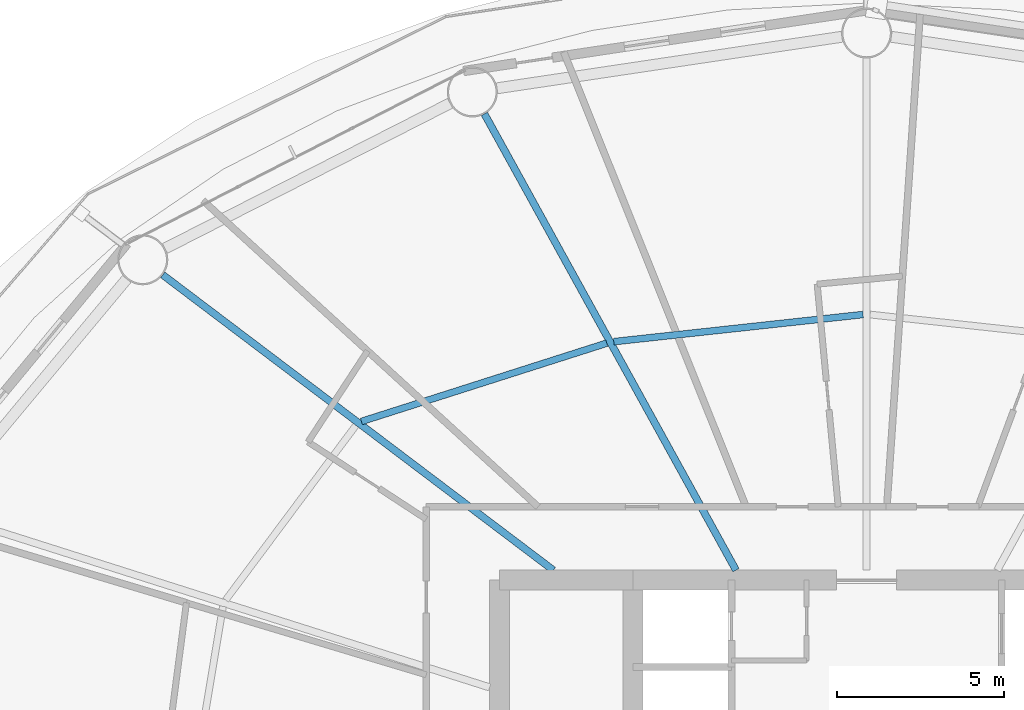
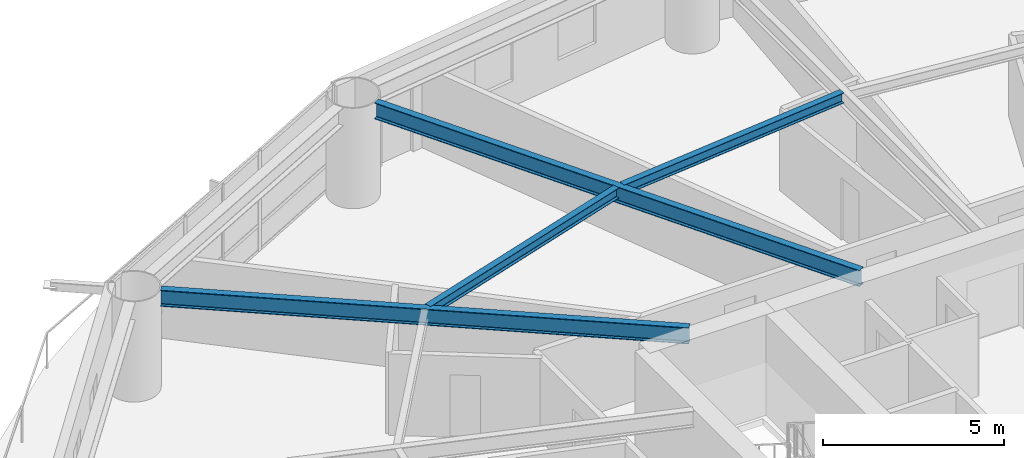
# One storey, part 11 of 28: 4 beams.
"""IFC4 building model written with IfcOpenShell, lengths in metres."""

import ifcopenshell
import ifcopenshell.guid

model = None  # the IFC model being written
_history = None  # IfcOwnerHistory: only IFC2X3 demands one
_inside = {}  # id of a spatial element -> (the spatial element, [elements in it])
_under = {}  # id of a project, library or spatial element -> (it, [spatial elements below it])
_declared = {}  # id of a project -> (the project, [libraries it declares])
_typed = {}  # id of a type object -> (the type object, [elements of that type])
_made_of = {}  # id of a material, layer set ... -> (it, [elements and type objects made of it])


def new_model(schema):
    """Start an empty IFC model of exactly this schema.

    Asked for "IFC4X3", IfcOpenShell would pick the latest addendum, in which some entities
    have other attributes; the version numbers below select the first issue.
    IFC2X3 requires an IfcOwnerHistory on every rooted entity: one is made here for all.
    """
    global model, _history
    if schema == "IFC4X3":
        model = ifcopenshell.file(schema_version=(4, 3, 0, 0))
    else:
        model = ifcopenshell.file(schema=schema)
    _inside.clear()
    _under.clear()
    _declared.clear()
    _typed.clear()
    _made_of.clear()
    _history = None
    if model.schema == "IFC2X3":
        org = make("IfcOrganization", Name="unknown")
        user = make(
            "IfcPersonAndOrganization",
            ThePerson=make("IfcPerson", FamilyName="unknown"),
            TheOrganization=org,
        )
        app = make(
            "IfcApplication",
            ApplicationDeveloper=org,
            Version="unknown",
            ApplicationFullName="unknown",
            ApplicationIdentifier="unknown",
        )
        _history = make(
            "IfcOwnerHistory",
            OwningUser=user,
            OwningApplication=app,
            ChangeAction="ADDED",
            CreationDate=0,
        )
    return model


def make(cls, **values):
    """One entity of the class cls with the attributes given. An attribute that is None is left unset."""
    return model.create_entity(
        cls, **{name: value for name, value in values.items() if value is not None}
    )


def rooted(cls, **values):
    """An entity with a GlobalId (a new one), such as an element, a storey or a relation."""
    return make(cls, GlobalId=ifcopenshell.guid.new(), OwnerHistory=_history, **values)


def si_unit(unit_type, name, prefix=None):
    """IfcSIUnit, for example si_unit("LENGTHUNIT", "METRE", prefix="MILLI")."""
    return make("IfcSIUnit", UnitType=unit_type, Prefix=prefix, Name=name)


def assignment(units):
    """IfcUnitAssignment: the units of a project."""
    return None if units is None else make("IfcUnitAssignment", Units=units)


def point(xyz):
    """IfcCartesianPoint."""
    return None if xyz is None else make("IfcCartesianPoint", Coordinates=xyz)


def direction(xyz):
    """IfcDirection."""
    return None if xyz is None else make("IfcDirection", DirectionRatios=xyz)


def frame(location, z_axis=None, x_axis=None):
    """IfcAxis2Placement3D, a coordinate frame: its origin and axes. An axis left out is left unset."""
    return make(
        "IfcAxis2Placement3D",
        Location=point(location),
        Axis=direction(z_axis),
        RefDirection=direction(x_axis),
    )


def frame_2d(location, x_axis=None):
    """IfcAxis2Placement2D, a coordinate frame in the plane: its origin and x axis."""
    return make(
        "IfcAxis2Placement2D", Location=point(location), RefDirection=direction(x_axis)
    )


def origin():
    """The frame at (0, 0, 0) with its axes left unset."""
    return frame((0.0, 0.0, 0.0))


def origin_2d():
    """The frame at (0, 0) in the plane with its x axis left unset."""
    return frame_2d((0.0, 0.0))


def place(relative_to, where):
    """IfcLocalPlacement: puts the frame where relative to a parent placement (None: the world)."""
    return make(
        "IfcLocalPlacement", PlacementRelTo=relative_to, RelativePlacement=where
    )


def context(
    kind, dimensions, precision=None, world=None, true_north=None, identifier=None
):
    """IfcGeometricRepresentationContext, for example the 3D "Model" context."""
    return make(
        "IfcGeometricRepresentationContext",
        ContextIdentifier=identifier,
        ContextType=kind,
        CoordinateSpaceDimension=dimensions,
        Precision=precision,
        WorldCoordinateSystem=world,
        TrueNorth=true_north,
    )


def subcontext(parent, identifier, kind, view, scale=None):
    """IfcGeometricRepresentationSubContext, for example "Body" below "Model"."""
    return make(
        "IfcGeometricRepresentationSubContext",
        ContextIdentifier=identifier,
        ContextType=kind,
        ParentContext=parent,
        TargetScale=scale,
        TargetView=view,
    )


def project(units=None, contexts=None):
    """IfcProject with its units and contexts."""
    return rooted(
        "IfcProject",
        Name="project",
        RepresentationContexts=contexts,
        UnitsInContext=assignment(units),
    )


def spatial(cls, under=None, at=None, **own):
    """A site, building, storey or space (cls), placed at a placement, below another one or the project."""
    s = rooted(cls, ObjectPlacement=at, **own)
    if under is not None:
        _under.setdefault(under.id(), (under, []))[1].append(s)
    return s


def profile(cls, at=None, kind="AREA", **sizes):
    """A parametric profile (cls). Its sizes go by their IFC names, for example OverallWidth=200.0."""
    return make(cls, ProfileType=kind, Position=at, **sizes)


def i_section(**sizes):
    """IfcIShapeProfileDef."""
    return profile("IfcIShapeProfileDef", **sizes)


def extrude(swept, where, along, depth):
    """IfcExtrudedAreaSolid: the profile swept, set in the frame where, extruded along a direction by depth."""
    return make(
        "IfcExtrudedAreaSolid",
        SweptArea=swept,
        Position=where,
        ExtrudedDirection=direction(along),
        Depth=depth,
    )


def shape(context_of_items, identifier, shape_type, items):
    """IfcShapeRepresentation: the items that make up one representation, for example the "Body"."""
    return make(
        "IfcShapeRepresentation",
        ContextOfItems=context_of_items,
        RepresentationIdentifier=identifier,
        RepresentationType=shape_type,
        Items=items,
    )


def material(Name=None, Category=None):
    """IfcMaterial."""
    return make("IfcMaterial", Name=Name, Category=Category)


def material_profile(
    of_material, cross_section, Name=None, Category=None, Priority=None
):
    """IfcMaterialProfile: a cross section and its material."""
    return make(
        "IfcMaterialProfile",
        Name=Name,
        Material=of_material,
        Profile=cross_section,
        Priority=Priority,
        Category=Category,
    )


def profile_set(profiles, Name=None, composite=None):
    """IfcMaterialProfileSet."""
    return make(
        "IfcMaterialProfileSet",
        Name=Name,
        MaterialProfiles=profiles,
        CompositeProfile=composite,
    )


def made_of(thing, what):
    """Note that an element or type object is made of a material, layer set ...; save() writes the relation."""
    if what is not None:
        _made_of.setdefault(what.id(), (what, []))[1].append(thing)
    return thing


def type_object(cls, material=None, **own):
    """A type object (cls), such as IfcWallType, which elements share."""
    return made_of(rooted(cls, **own), material)


def element(
    cls,
    number,
    at=None,
    inside=None,
    cuts=None,
    type_object=None,
    material=None,
    context=None,
    identifier="Body",
    shape_type=None,
    held_by="IfcProductDefinitionShape",
    body=None,
    shapes=None,
    **own,
):
    """One element of the class cls, such as IfcWall. Its Tag is "e" and its number.

    at: its placement. inside: the storey or other place that contains it. cuts: it is an
    opening in that element (IfcRelVoidsElement). A single representation is given by context,
    identifier, shape_type and body (its items); several are given by shapes. held_by: the class
    of the entity that holds the representations. save() writes the other relations.
    """
    e = rooted(cls, Tag="e%d" % number, ObjectPlacement=at, **own)
    if body is not None:
        shapes = [shape(context, identifier, shape_type, body)]
    if shapes is not None:
        e.Representation = make(held_by, Representations=shapes)
    if inside is not None:
        _inside.setdefault(inside.id(), (inside, []))[1].append(e)
    if cuts is not None:
        rooted(
            "IfcRelVoidsElement", RelatingBuildingElement=cuts, RelatedOpeningElement=e
        )
    if type_object is not None:
        _typed.setdefault(type_object.id(), (type_object, []))[1].append(e)
    return made_of(e, material)


def aggregate(whole, parts):
    """IfcRelAggregates: a whole, such as a stair, and the parts it consists of."""
    return rooted("IfcRelAggregates", RelatingObject=whole, RelatedObjects=parts)


def save(model, path):
    """Write the relations noted so far, then the file.

    IfcRelAggregates (storeys below a building ...), IfcRelContainedInSpatialStructure (elements
    in a storey), IfcRelDefinesByType, IfcRelAssociatesMaterial and IfcRelDeclares: one each for
    every whole, place, type object, material and project.
    """
    for whole, parts in _under.values():
        aggregate(whole, parts)
    for where, things in _inside.values():
        rooted(
            "IfcRelContainedInSpatialStructure",
            RelatedElements=things,
            RelatingStructure=where,
        )
    for kind, things in _typed.values():
        rooted("IfcRelDefinesByType", RelatedObjects=things, RelatingType=kind)
    for what, things in _made_of.values():
        rooted("IfcRelAssociatesMaterial", RelatedObjects=things, RelatingMaterial=what)
    for by, libraries in _declared.values():
        rooted("IfcRelDeclares", RelatingContext=by, RelatedDefinitions=libraries)
    model.write(path)


model = new_model("IFC4")

# Units and contexts
model_context = context("Model", 3, precision=1e-05, world=origin(), true_north=direction((0.0, 1.0)))
body_context = subcontext(model_context, "Body", "Model", "MODEL_VIEW")
ifc_project = project(units=[si_unit("LENGTHUNIT", "METRE"), si_unit("AREAUNIT", "SQUARE_METRE"), si_unit("VOLUMEUNIT", "CUBIC_METRE"), si_unit("PLANEANGLEUNIT", "RADIAN"), si_unit("MASSUNIT", "GRAM", prefix="KILO")], contexts=[model_context])

# Site, building, storey
site_placement = place(None, origin())
site = spatial("IfcSite", under=ifc_project, at=site_placement, CompositionType="ELEMENT")
building_placement = place(site_placement, origin())
building = spatial("IfcBuilding", under=site, at=building_placement, Name="Sarneth Arch Tower", CompositionType="ELEMENT")
storey_placement = place(building_placement, frame((0.0, 0.0, 67.800048828125)))
storey = spatial("IfcBuildingStorey", under=building, at=storey_placement, Name="L16", CompositionType="ELEMENT", Elevation=67.800048828125)

# Beams
ifc_material_1 = material(Name="Steel S355", Category="steel")
ifc_material_profile_1 = material_profile(ifc_material_1, i_section(OverallWidth=0.202880859375, OverallDepth=0.346923828125, WebThickness=0.0078125, FlangeThickness=0.013427734375, FilletRadius=0.014892578125, at=origin_2d()), Name="W360x64")
ifc_profile_set_1 = profile_set([ifc_material_profile_1], Name="Steel S355")
beam_type_1 = type_object("IfcBeamType", Name="BM-JOIST-360C", PredefinedType="JOIST", material=ifc_profile_set_1)
beam_1_placement = place(storey_placement, frame((47.8935546875, 56.763427734375, 3.20654296875), z_axis=(-0.994129966112, -0.108192469602, 0.0), x_axis=(0.108192469602, -0.994129966112, 0.0)))
element("IfcBeam", 1, at=beam_1_placement, inside=storey, type_object=beam_type_1, Name="L16 Secondary floor joist 05", PredefinedType="JOIST", context=body_context, shape_type="SweptSolid", body=[
    extrude(i_section(OverallWidth=0.202880859375, OverallDepth=0.346923828125, WebThickness=0.0078125, FlangeThickness=0.013427734375, FilletRadius=0.014892578125, at=origin_2d()), origin(), (0.0, 0.0, 1.0), 7.5166015625),
])
beam_2_placement = place(storey_placement, frame((40.212890625, 55.906005859375, 3.20654296875), z_axis=(-0.95266836992, -0.304011475036, 0.0), x_axis=(0.304011475036, -0.95266836992, 0.0)))
element("IfcBeam", 2, at=beam_2_placement, inside=storey, type_object=beam_type_1, Name="L16 Secondary floor joist 06", PredefinedType="JOIST", context=body_context, shape_type="SweptSolid", body=[
    extrude(i_section(OverallWidth=0.202880859375, OverallDepth=0.346923828125, WebThickness=0.0078125, FlangeThickness=0.013427734375, FilletRadius=0.014892578125, at=origin_2d()), origin(), (0.0, 0.0, 1.0), 7.720703125),
])
ifc_material_2 = material(Name="Steel S355", Category="steel")
ifc_material_profile_2 = material_profile(ifc_material_2, i_section(OverallWidth=0.214111328125, OverallDepth=0.549072265625, WebThickness=0.0146484375, FlangeThickness=0.023681640625, FilletRadius=0.01806640625, at=origin_2d()), Name="W530x138")
ifc_profile_set_2 = profile_set([ifc_material_profile_2], Name="Steel S355")
beam_type_2 = type_object("IfcBeamType", Name="BM-RAD-530A", PredefinedType="BEAM", material=ifc_profile_set_2)
beam_3_placement = place(storey_placement, frame((44.08544921875, 49.10009765625, 3.10546875), z_axis=(-0.482841370957, 0.875707833979, 0.0), x_axis=(-0.875707833979, -0.482841370957, 0.0)))
element("IfcBeam", 3, at=beam_3_placement, inside=storey, type_object=beam_type_2, Name="L16 Radial floor girder 06", PredefinedType="BEAM", context=body_context, shape_type="SweptSolid", body=[
    extrude(i_section(OverallWidth=0.214111328125, OverallDepth=0.549072265625, WebThickness=0.0146484375, FlangeThickness=0.023681640625, FilletRadius=0.01806640625, at=origin_2d()), origin(), (0.0, 0.0, 1.0), 15.618408203125),
])
beam_4_placement = place(storey_placement, frame((38.609619140625, 49.10009765625, 3.10546875), z_axis=(-0.79765464731, 0.603114469753, 0.0), x_axis=(-0.603114469753, -0.79765464731, 0.0)))
element("IfcBeam", 4, at=beam_4_placement, inside=storey, type_object=beam_type_2, Name="L16 Radial floor girder 07", PredefinedType="BEAM", context=body_context, shape_type="SweptSolid", body=[
    extrude(i_section(OverallWidth=0.214111328125, OverallDepth=0.549072265625, WebThickness=0.0146484375, FlangeThickness=0.023681640625, FilletRadius=0.01806640625, at=origin_2d()), origin(), (0.0, 0.0, 1.0), 14.677978515625),
])

save(model, "model.ifc")
